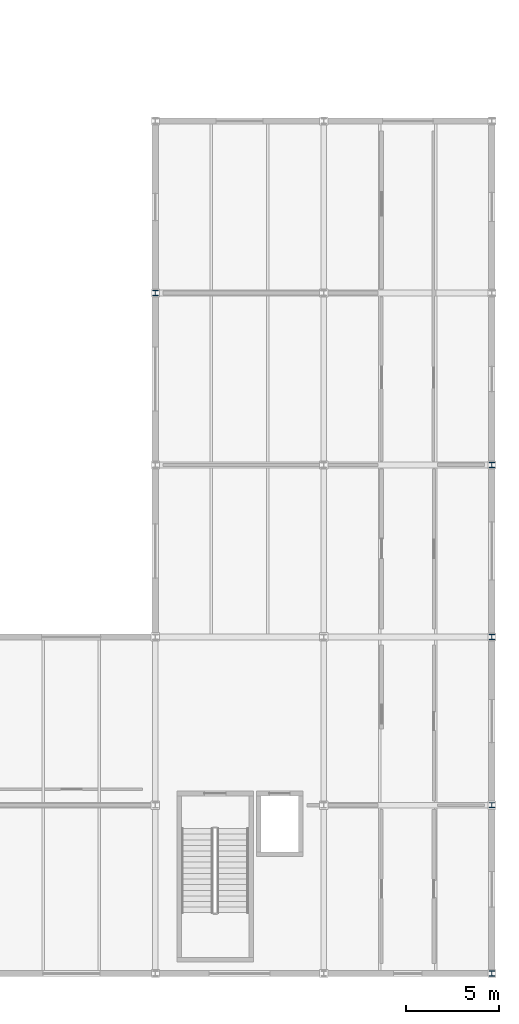
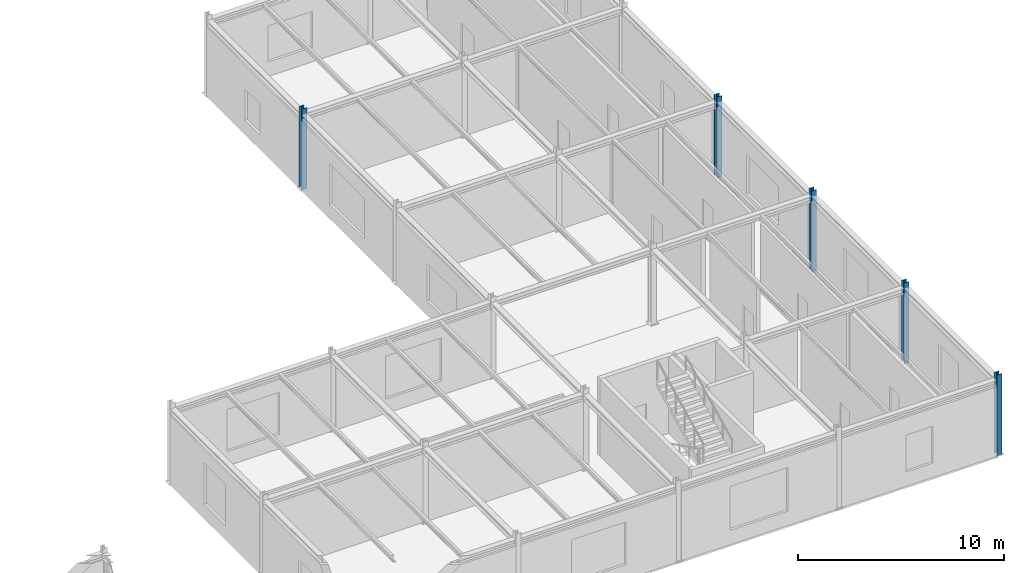
# One storey, part 8 of 61: 5 columns.
"""IFC4 building model written with IfcOpenShell, lengths in metres."""

from ifc_helpers import new_model, si_unit, direction, frame, origin, origin_2d, place, context, subcontext, project, spatial, i_section, extrude, material, material_profile, profile_set, type_object, element, save


model = new_model("IFC4")

# Units and contexts
model_context = context("Model", 3, precision=1e-05, world=origin(), true_north=direction((0.0, 1.0)))
body_context = subcontext(model_context, "Body", "Model", "MODEL_VIEW")
ifc_project = project(units=[si_unit("LENGTHUNIT", "METRE"), si_unit("AREAUNIT", "SQUARE_METRE"), si_unit("VOLUMEUNIT", "CUBIC_METRE"), si_unit("PLANEANGLEUNIT", "RADIAN"), si_unit("MASSUNIT", "GRAM", prefix="KILO")], contexts=[model_context])

# Site, building, storey
site_placement = place(None, origin())
site = spatial("IfcSite", under=ifc_project, at=site_placement, CompositionType="ELEMENT")
building_placement = place(site_placement, origin())
building = spatial("IfcBuilding", under=site, at=building_placement, Name="Bozkorgan Art Gallery", CompositionType="ELEMENT")
storey_placement = place(building_placement, frame((0.0, 0.0, 10.199951171875)))
storey = spatial("IfcBuildingStorey", under=building, at=storey_placement, Name="L02", CompositionType="ELEMENT", Elevation=10.199951171875)

# Columns
ifc_material = material(Name="Steel S355J2", Category="steel")
ifc_material_profile = material_profile(ifc_material, i_section(OverallWidth=0.280029296875, OverallDepth=0.280029296875, WebThickness=0.010498046875, FlangeThickness=0.01806640625, FilletRadius=0.02392578125, at=origin_2d()), Name="HEB 280")
ifc_profile_set = profile_set([ifc_material_profile], Name="Steel S355J2")
column_type = type_object("IfcColumnType", Name="COLUMN-C-66", PredefinedType="COLUMN", material=ifc_profile_set)
for number, where, z_axis, x_axis, name in (
    (1, (146.0, 38.39990234375, 0.0), (0.0, 0.0, 1.0), (1.0, 0.0, 0.0), "V6 L02 column (146.0, 38.4)"),
    (2, (164.0, 2.0, 0.0), (0.0, 0.0, 1.0), (1.0, 0.0, 0.0), "V6 L02 column (164.0, 2.0)"),
    (3, (164.0, 11.0, 0.0), (0.0, 0.0, 1.0), (1.0, 0.0, 0.0), "V6 L02 column (164.0, 11.0)"),
    (4, (164.0, 20.0, 0.0), (0.0, 0.0, 1.0), (1.0, 0.0, 0.0), "V6 L02 column (164.0, 20.0)"),
    (5, (164.0, 29.199951171875, 0.0), (0.0, 0.0, 1.0), (1.0, 0.0, 0.0), "V6 L02 column (164.0, 29.2)"),
):
    element("IfcColumn", number, at=place(storey_placement, frame(where, z_axis=z_axis, x_axis=x_axis)), inside=storey, type_object=column_type, Name=name, PredefinedType="COLUMN", context=body_context, shape_type="SweptSolid", body=[
        extrude(i_section(OverallWidth=0.280029296875, OverallDepth=0.280029296875, WebThickness=0.010498046875, FlangeThickness=0.01806640625, FilletRadius=0.02392578125, at=origin_2d()), origin(), (0.0, 0.0, 1.0), 4.800048828125),
    ])

save(model, "model.ifc")
